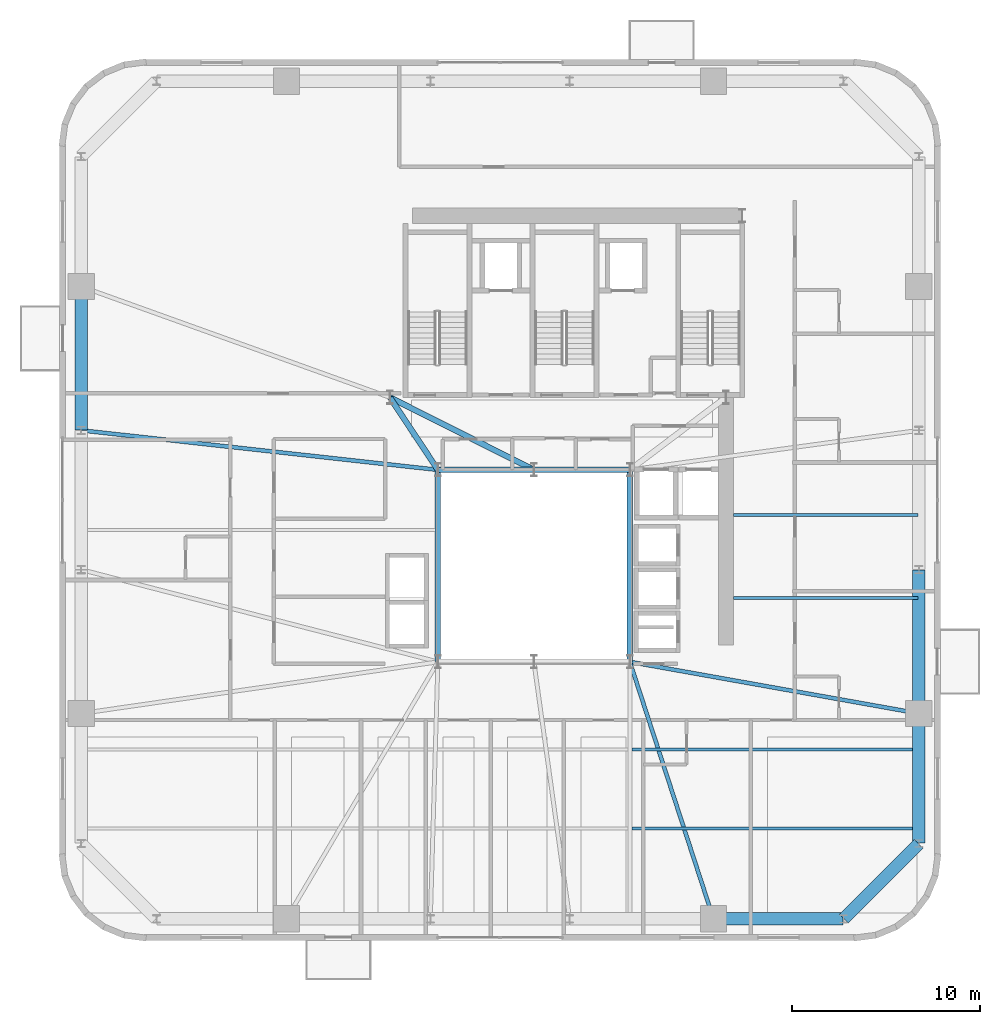
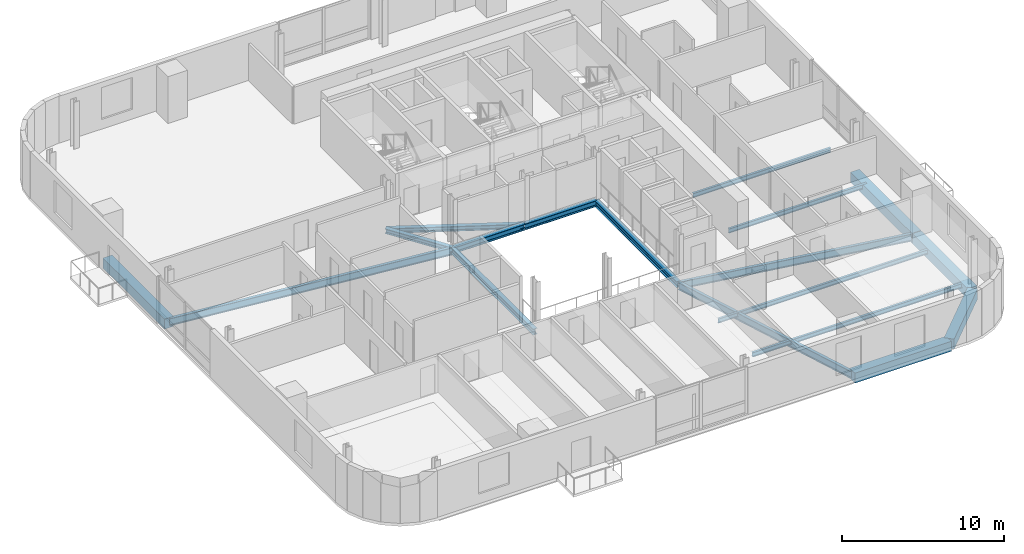
# One storey, part 4 of 16: 18 beams.
"""IFC4 building model written with IfcOpenShell, lengths in metres."""

from ifc_helpers import new_model, si_unit, direction, frame, origin, origin_2d, place, context, subcontext, project, spatial, rectangle, i_section, extrude, source, transform, mapped, material, material_profile, profile_set, type_object, element, save


model = new_model("IFC4")

# Units and contexts
model_context = context("Model", 3, precision=1e-05, world=origin(), true_north=direction((0.0, 1.0)))
body_context = subcontext(model_context, "Body", "Model", "MODEL_VIEW")
ifc_project = project(units=[si_unit("LENGTHUNIT", "METRE"), si_unit("AREAUNIT", "SQUARE_METRE"), si_unit("VOLUMEUNIT", "CUBIC_METRE"), si_unit("PLANEANGLEUNIT", "RADIAN"), si_unit("MASSUNIT", "GRAM", prefix="KILO")], contexts=[model_context])

# Site, building, storey
site_placement = place(None, origin())
site = spatial("IfcSite", under=ifc_project, at=site_placement, CompositionType="ELEMENT")
building_placement = place(site_placement, origin())
building = spatial("IfcBuilding", under=site, at=building_placement, Name="Vardaveli Station Tower", CompositionType="ELEMENT")
storey_placement = place(building_placement, frame((0.0, 0.0, 184.800048828125)))
storey = spatial("IfcBuildingStorey", under=building, at=storey_placement, Name="L47", CompositionType="ELEMENT", Elevation=184.800048828125)

# Beams
ifc_material_1 = material(Name="Structural steel S355J2", Category="steel")
ifc_material_profile_1 = material_profile(ifc_material_1, i_section(OverallWidth=0.300048828125, OverallDepth=0.449951171875, WebThickness=0.013916015625, FlangeThickness=0.02587890625, FilletRadius=0.027099609375, at=origin_2d()), Name="HEB 450")
ifc_profile_set_1 = profile_set([ifc_material_profile_1], Name="Structural steel S355J2")
beam_type_1 = type_object("IfcBeamType", Name="BM-HEB450", PredefinedType="BEAM", material=ifc_profile_set_1)
shared_shape_1 = source(origin(), body_context, "Body", "SweptSolid", [
    extrude(i_section(OverallWidth=0.300048828125, OverallDepth=0.449951171875, WebThickness=0.013916015625, FlangeThickness=0.02587890625, FilletRadius=0.027099609375, at=origin_2d()), origin(), (0.0, 0.0, 1.0), 5.06005859375),
])
beam_1_placement = place(storey_placement, frame((36.280029296875, 26.800048828125, -0.445068359375), z_axis=(-1.0, 0.0, 0.0), x_axis=(0.0, -1.0, 0.0)))
element("IfcBeam", 1, at=beam_1_placement, inside=storey, type_object=beam_type_1, Name="ABM-L47-05", PredefinedType="BEAM", context=body_context, shape_type="MappedRepresentation", body=[
    mapped(shared_shape_1, transform((0.0, 0.0, 0.0), scale=1.0)),
])
shared_shape_2 = source(origin(), body_context, "Body", "SweptSolid", [
    extrude(i_section(OverallWidth=0.300048828125, OverallDepth=0.449951171875, WebThickness=0.013916015625, FlangeThickness=0.02587890625, FilletRadius=0.027099609375, at=origin_2d()), origin(), (0.0, 0.0, 1.0), 5.059814453125),
])
beam_2_placement = place(storey_placement, frame((41.3798828125, 26.800048828125, -0.445068359375), z_axis=(-1.0, 0.0, 0.0), x_axis=(0.0, -1.0, 0.0)))
element("IfcBeam", 2, at=beam_2_placement, inside=storey, type_object=beam_type_1, Name="ABM-L47-04", PredefinedType="BEAM", context=body_context, shape_type="MappedRepresentation", body=[
    mapped(shared_shape_2, transform((0.0, 0.0, 0.0), scale=1.0)),
])
shared_shape_3 = source(origin(), body_context, "Body", "SweptSolid", [
    extrude(i_section(OverallWidth=0.300048828125, OverallDepth=0.449951171875, WebThickness=0.013916015625, FlangeThickness=0.02587890625, FilletRadius=0.027099609375, at=origin_2d()), origin(), (0.0, 0.0, 1.0), 10.159912109375),
])
for number, where, z_axis, x_axis, name in (
    (3, (41.39990234375, 16.6201171875, -0.445068359375), (0.0, 1.0, 0.0), (-1.0, 0.0, 0.0), "ABM-L47-03"),
    (4, (31.199951171875, 26.780029296875, -0.445068359375), (0.0, -1.0, 0.0), (1.0, 0.0, 0.0), "ABM-L47-06"),
):
    element("IfcBeam", number, at=place(storey_placement, frame(where, z_axis=z_axis, x_axis=x_axis)), inside=storey, type_object=beam_type_1, Name=name, PredefinedType="BEAM", context=body_context, shape_type="MappedRepresentation", body=[
        mapped(shared_shape_3, transform((0.0, 0.0, 0.0), scale=1.0)),
    ])
ifc_material_profile_2 = material_profile(ifc_material_1, i_section(OverallWidth=0.300048828125, OverallDepth=0.360107421875, WebThickness=0.012451171875, FlangeThickness=0.0224609375, FilletRadius=0.027099609375, at=origin_2d()), Name="HEB 360")
ifc_profile_set_2 = profile_set([ifc_material_profile_2], Name="Structural steel S355J2")
beam_type_2 = type_object("IfcBeamType", Name="BM-HEB360", PredefinedType="BEAM", material=ifc_profile_set_2)
shared_shape_4 = source(origin(), body_context, "Body", "SweptSolid", [
    extrude(i_section(OverallWidth=0.300048828125, OverallDepth=0.360107421875, WebThickness=0.012451171875, FlangeThickness=0.0224609375, FilletRadius=0.027099609375, at=origin_2d()), origin(), (0.0, 0.0, 1.0), 4.577880859375),
])
beam_3_placement = place(storey_placement, frame((31.18896484375, 26.816650390625, -0.400146484375), z_axis=(-0.55218702139, 0.833720272879, 0.0), x_axis=(-0.833720272879, -0.55218702139, 0.0)))
element("IfcBeam", 5, at=beam_3_placement, inside=storey, type_object=beam_type_2, Name="CBM-L47-01", PredefinedType="BEAM", context=body_context, shape_type="MappedRepresentation", body=[
    mapped(shared_shape_4, transform((0.0, 0.0, 0.0), scale=1.0)),
])
shared_shape_5 = source(origin(), body_context, "Body", "SweptSolid", [
    extrude(i_section(OverallWidth=0.300048828125, OverallDepth=0.360107421875, WebThickness=0.012451171875, FlangeThickness=0.0224609375, FilletRadius=0.027099609375, at=origin_2d()), origin(), (0.0, 0.0, 1.0), 8.524169921875),
])
beam_4_placement = place(storey_placement, frame((28.66796875, 30.64111328125, -0.400146484375), z_axis=(0.893255584708, -0.449549174605, 0.0), x_axis=(0.449549174605, 0.893255584708, 0.0)))
element("IfcBeam", 6, at=beam_4_placement, inside=storey, type_object=beam_type_2, Name="CBM-L47-03", PredefinedType="BEAM", context=body_context, shape_type="MappedRepresentation", body=[
    mapped(shared_shape_5, transform((0.0, 0.0, 0.0), scale=1.0)),
])
ifc_material_2 = material(Name="Precast concrete C45/55", Category="concrete")
ifc_material_profile_3 = material_profile(ifc_material_2, rectangle(XDim=0.64990234375, YDim=0.75, at=origin_2d()), Name="LPB 650x750")
ifc_profile_set_3 = profile_set([ifc_material_profile_3], Name="Precast concrete C45/55")
beam_type_3 = type_object("IfcBeamType", Name="BM-LPB-750", PredefinedType="BEAM", material=ifc_profile_set_3)
shared_shape_6 = source(origin(), body_context, "Body", "SweptSolid", [
    extrude(rectangle(XDim=0.64990234375, YDim=0.75, at=origin_2d()), origin(), (0.0, 0.0, 1.0), 7.60009765625),
])
for number, where, z_axis, x_axis, name in (
    (7, (56.75, 13.8798828125, -0.594970703125), (0.0, 1.0, 0.0), (-1.0, 0.0, 0.0), "RBM-L47-07"),
    (8, (12.25, 36.52001953125, -0.594970703125), (0.0, -1.0, 0.0), (1.0, 0.0, 0.0), "RBM-L47-19"),
):
    element("IfcBeam", number, at=place(storey_placement, frame(where, z_axis=z_axis, x_axis=x_axis)), inside=storey, type_object=beam_type_3, Name=name, PredefinedType="BEAM", context=body_context, shape_type="MappedRepresentation", body=[
        mapped(shared_shape_6, transform((0.0, 0.0, 0.0), scale=1.0)),
    ])
shared_shape_7 = source(origin(), body_context, "Body", "SweptSolid", [
    extrude(rectangle(XDim=0.64990234375, YDim=0.75, at=origin_2d()), origin(), (0.0, 0.0, 1.0), 6.869873046875),
])
beam_5_placement = place(storey_placement, frame((45.860107421875, 2.949951171875, -0.594970703125), z_axis=(1.0, 0.0, 0.0), x_axis=(0.0, 1.0, 0.0)))
element("IfcBeam", 9, at=beam_5_placement, inside=storey, type_object=beam_type_3, Name="RBM-L47-04", PredefinedType="BEAM", context=body_context, shape_type="MappedRepresentation", body=[
    mapped(shared_shape_7, transform((0.0, 0.0, 0.0), scale=1.0)),
])
shared_shape_8 = source(origin(), body_context, "Body", "SweptSolid", [
    extrude(rectangle(XDim=0.64990234375, YDim=0.75, at=origin_2d()), origin(), (0.0, 0.0, 1.0), 5.61669921875),
])
beam_6_placement = place(storey_placement, frame((52.76416015625, 2.964111328125, -0.594970703125), z_axis=(0.707106781187, 0.707106781187, 0.0), x_axis=(-0.707106781187, 0.707106781187, 0.0)))
element("IfcBeam", 10, at=beam_6_placement, inside=storey, type_object=beam_type_3, Name="RBM-L47-05", PredefinedType="BEAM", context=body_context, shape_type="MappedRepresentation", body=[
    mapped(shared_shape_8, transform((0.0, 0.0, 0.0), scale=1.0)),
])
shared_shape_9 = source(origin(), body_context, "Body", "SweptSolid", [
    extrude(rectangle(XDim=0.64990234375, YDim=0.75, at=origin_2d()), origin(), (0.0, 0.0, 1.0), 6.8701171875),
])
beam_7_placement = place(storey_placement, frame((56.75, 6.969970703125, -0.594970703125), z_axis=(0.0, 1.0, 0.0), x_axis=(-1.0, 0.0, 0.0)))
element("IfcBeam", 11, at=beam_7_placement, inside=storey, type_object=beam_type_3, Name="RBM-L47-06", PredefinedType="BEAM", context=body_context, shape_type="MappedRepresentation", body=[
    mapped(shared_shape_9, transform((0.0, 0.0, 0.0), scale=1.0)),
])
ifc_material_profile_4 = material_profile(ifc_material_1, i_section(OverallWidth=0.159912109375, OverallDepth=0.330078125, WebThickness=0.007568359375, FlangeThickness=0.011474609375, FilletRadius=0.01806640625, at=origin_2d()), Name="IPE 330")
ifc_profile_set_4 = profile_set([ifc_material_profile_4], Name="Structural steel S355J2")
beam_type_4 = type_object("IfcBeamType", Name="BM-IPE330", PredefinedType="JOIST", material=ifc_profile_set_4)
shared_shape_10 = source(origin(), body_context, "Body", "SweptSolid", [
    extrude(i_section(OverallWidth=0.159912109375, OverallDepth=0.330078125, WebThickness=0.007568359375, FlangeThickness=0.011474609375, FilletRadius=0.01806640625, at=origin_2d()), origin(), (0.0, 0.0, 1.0), 15.197998046875),
])
for number, where, z_axis, x_axis, name in (
    (12, (41.511962890625, 7.75, -0.385009765625), (1.0, 0.0, 0.0), (0.0, 1.0, 0.0), "SJ-L47-S02"),
    (13, (41.511962890625, 11.949951171875, -0.385009765625), (1.0, 0.0, 0.0), (0.0, 1.0, 0.0), "SJ-L47-S04"),
):
    element("IfcBeam", number, at=place(storey_placement, frame(where, z_axis=z_axis, x_axis=x_axis)), inside=storey, type_object=beam_type_4, Name=name, PredefinedType="JOIST", context=body_context, shape_type="MappedRepresentation", body=[
        mapped(shared_shape_10, transform((0.0, 0.0, 0.0), scale=1.0)),
    ])
shared_shape_11 = source(origin(), body_context, "Body", "SweptSolid", [
    extrude(i_section(OverallWidth=0.159912109375, OverallDepth=0.330078125, WebThickness=0.007568359375, FlangeThickness=0.011474609375, FilletRadius=0.01806640625, at=origin_2d()), origin(), (0.0, 0.0, 1.0), 9.804931640625),
])
for number, where, z_axis, x_axis, name in (
    (14, (46.905029296875, 20.0, -0.385009765625), (1.0, 0.0, 0.0), (0.0, 1.0, 0.0), "SJ-L47-E07"),
    (15, (46.905029296875, 24.39990234375, -0.385009765625), (1.0, 0.0, 0.0), (0.0, 1.0, 0.0), "SJ-L47-E08"),
):
    element("IfcBeam", number, at=place(storey_placement, frame(where, z_axis=z_axis, x_axis=x_axis)), inside=storey, type_object=beam_type_4, Name=name, PredefinedType="JOIST", context=body_context, shape_type="MappedRepresentation", body=[
        mapped(shared_shape_11, transform((0.0, 0.0, 0.0), scale=1.0)),
    ])
ifc_material_profile_5 = material_profile(ifc_material_1, i_section(OverallWidth=0.2099609375, OverallDepth=0.550048828125, WebThickness=0.010986328125, FlangeThickness=0.01708984375, FilletRadius=0.02392578125, at=origin_2d()), Name="IPE 550")
ifc_profile_set_5 = profile_set([ifc_material_profile_5], Name="Structural steel S355J2")
beam_type_5 = type_object("IfcBeamType", Name="BM-IPE550", PredefinedType="BEAM", material=ifc_profile_set_5)
shared_shape_12 = source(origin(), body_context, "Body", "SweptSolid", [
    extrude(i_section(OverallWidth=0.2099609375, OverallDepth=0.550048828125, WebThickness=0.010986328125, FlangeThickness=0.01708984375, FilletRadius=0.02392578125, at=origin_2d()), origin(), (0.0, 0.0, 1.0), 14.31396484375),
])
beam_8_placement = place(storey_placement, frame((45.833740234375, 2.968994140625, -0.4951171875), z_axis=(-0.309311678023, 0.950960717295, 0.0), x_axis=(-0.950960717295, -0.309311678023, 0.0)))
element("IfcBeam", 16, at=beam_8_placement, inside=storey, type_object=beam_type_5, Name="GBM-L47-04", PredefinedType="BEAM", context=body_context, shape_type="MappedRepresentation", body=[
    mapped(shared_shape_12, transform((0.0, 0.0, 0.0), scale=1.0)),
])
shared_shape_13 = source(origin(), body_context, "Body", "SweptSolid", [
    extrude(i_section(OverallWidth=0.2099609375, OverallDepth=0.550048828125, WebThickness=0.010986328125, FlangeThickness=0.01708984375, FilletRadius=0.02392578125, at=origin_2d()), origin(), (0.0, 0.0, 1.0), 15.552490234375),
])
beam_9_placement = place(storey_placement, frame((56.730224609375, 13.863525390625, -0.4951171875), z_axis=(-0.984439991578, 0.1757210943, 0.0), x_axis=(-0.1757210943, -0.984439991578, 0.0)))
element("IfcBeam", 17, at=beam_9_placement, inside=storey, type_object=beam_type_5, Name="GBM-L47-05", PredefinedType="BEAM", context=body_context, shape_type="MappedRepresentation", body=[
    mapped(shared_shape_13, transform((0.0, 0.0, 0.0), scale=1.0)),
])
shared_shape_14 = source(origin(), body_context, "Body", "SweptSolid", [
    extrude(i_section(OverallWidth=0.2099609375, OverallDepth=0.550048828125, WebThickness=0.010986328125, FlangeThickness=0.01708984375, FilletRadius=0.02392578125, at=origin_2d()), origin(), (0.0, 0.0, 1.0), 19.026123046875),
])
beam_10_placement = place(storey_placement, frame((12.269775390625, 28.897705078125, -0.4951171875), z_axis=(0.993916552721, -0.110135762707, 0.0), x_axis=(0.110135762707, 0.993916552721, 0.0)))
element("IfcBeam", 18, at=beam_10_placement, inside=storey, type_object=beam_type_5, Name="GBM-L47-08", PredefinedType="BEAM", context=body_context, shape_type="MappedRepresentation", body=[
    mapped(shared_shape_14, transform((0.0, 0.0, 0.0), scale=1.0)),
])

save(model, "model.ifc")
